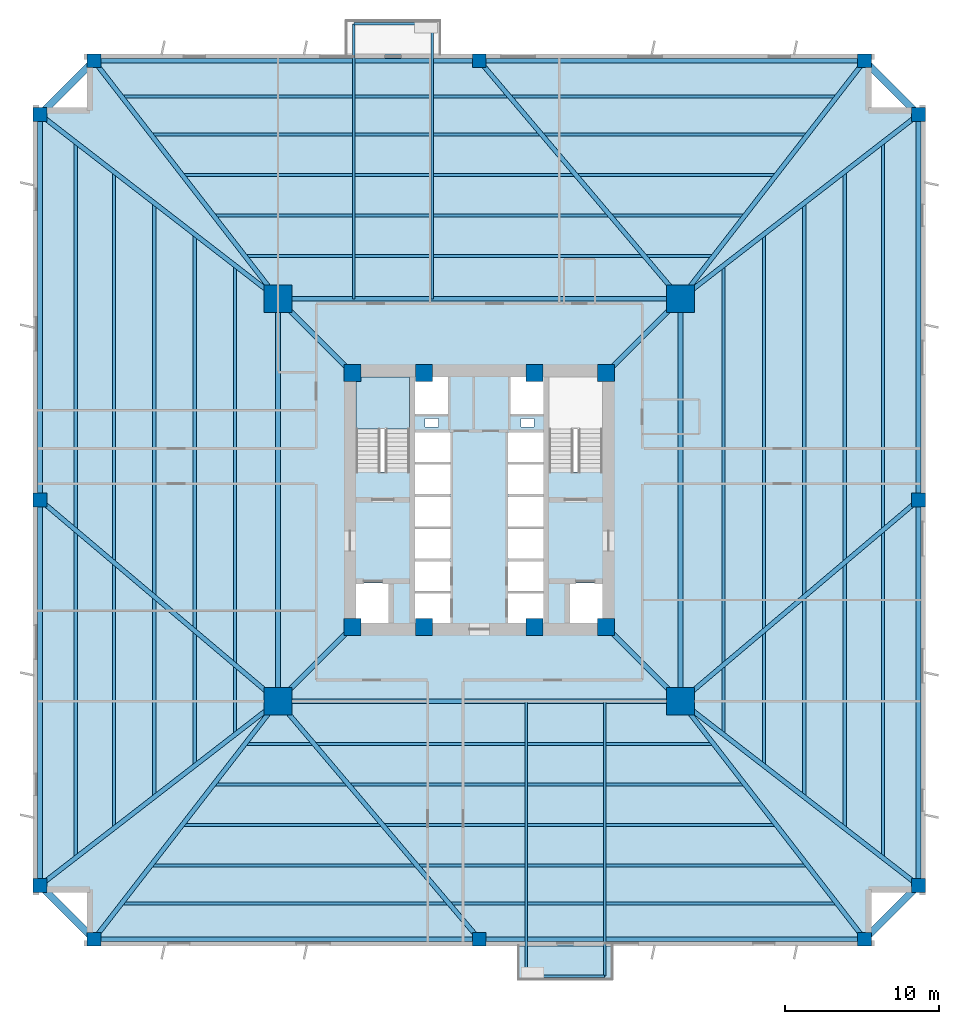
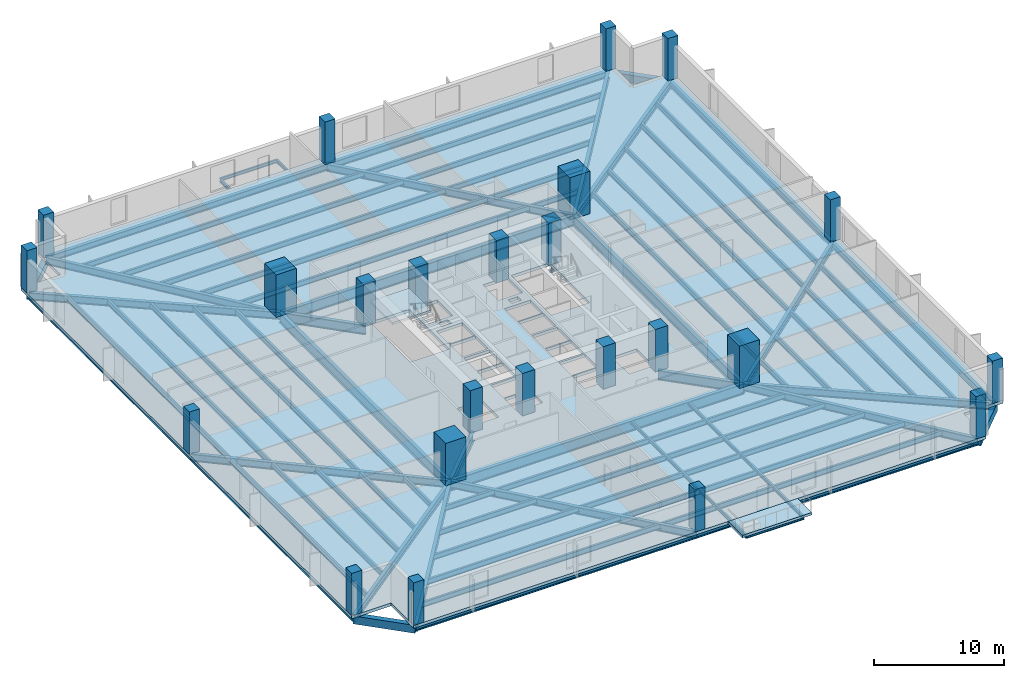
# One storey, part 1 of 8: 58 beams, 24 columns, 3 slabs, 1 element without a shape of its own.
"""IFC4 building model written with IfcOpenShell, lengths in metres."""

from ifc_helpers import new_model, si_unit, direction, frame, origin, origin_2d, place, context, subcontext, project, spatial, polyline, rectangle, i_section, outline, extrude, source, transform, mapped, material, layer, layer_set, material_profile, profile_set, type_object, element, aggregate, save


model = new_model("IFC4")

# Units and contexts
model_context = context("Model", 3, precision=1e-05, world=origin(), true_north=direction((0.0, 1.0)))
body_context = subcontext(model_context, "Body", "Model", "MODEL_VIEW")
ifc_project = project(units=[si_unit("LENGTHUNIT", "METRE"), si_unit("AREAUNIT", "SQUARE_METRE"), si_unit("VOLUMEUNIT", "CUBIC_METRE"), si_unit("PLANEANGLEUNIT", "RADIAN"), si_unit("MASSUNIT", "GRAM", prefix="KILO"), si_unit("THERMODYNAMICTEMPERATUREUNIT", "KELVIN")], contexts=[model_context])

# Site, building, storey
site_placement = place(None, origin())
site = spatial("IfcSite", under=ifc_project, at=site_placement, CompositionType="ELEMENT")
building_placement = place(site_placement, origin())
building = spatial("IfcBuilding", under=site, at=building_placement, Name="Kosmvard Interchange Tower", CompositionType="ELEMENT")
storey_placement = place(building_placement, frame((0.0, 0.0, 62.0)))
storey = spatial("IfcBuildingStorey", under=building, at=storey_placement, Name="L14", CompositionType="ELEMENT", Elevation=62.0)

# Columns
ifc_material_1 = material(Name="Concrete C80/95", Category="concrete")
ifc_material_profile_1 = material_profile(ifc_material_1, rectangle(XDim=1.10009765625, YDim=1.10009765625, at=origin_2d()), Name="CP 1100x1100")
ifc_profile_set_1 = profile_set([ifc_material_profile_1], Name="Concrete C80/95")
column_type_1 = type_object("IfcColumnType", Name="Core Boundary Pilaster 1100x1100 C80/95", PredefinedType="PILASTER", material=ifc_profile_set_1)
shared_shape_1 = source(origin(), body_context, "Body", "SweptSolid", [
    extrude(rectangle(XDim=1.10009765625, YDim=1.10009765625, at=origin_2d()), origin(), (0.0, 0.0, 1.0), 4.0),
])
for number, where, z_axis, x_axis, name in (
    (1, (-8.25, -8.25, 0.0), (0.0, 0.0, 1.0), (1.0, 0.0, 0.0), "L14 Core Pilaster CP1"),
    (2, (8.25, -8.25, 0.0), (0.0, 0.0, 1.0), (1.0, 0.0, 0.0), "L14 Core Pilaster CP2"),
    (3, (8.25, 8.25, 0.0), (0.0, 0.0, 1.0), (1.0, 0.0, 0.0), "L14 Core Pilaster CP3"),
    (4, (-8.25, 8.25, 0.0), (0.0, 0.0, 1.0), (1.0, 0.0, 0.0), "L14 Core Pilaster CP4"),
    (5, (-3.60009765625, -8.25, 0.0), (0.0, 0.0, 1.0), (1.0, 0.0, 0.0), "L14 Core Pilaster CP5"),
    (6, (3.60009765625, -8.25, 0.0), (0.0, 0.0, 1.0), (1.0, 0.0, 0.0), "L14 Core Pilaster CP6"),
    (7, (-3.60009765625, 8.25, 0.0), (0.0, 0.0, 1.0), (1.0, 0.0, 0.0), "L14 Core Pilaster CP7"),
    (8, (3.60009765625, 8.25, 0.0), (0.0, 0.0, 1.0), (1.0, 0.0, 0.0), "L14 Core Pilaster CP8"),
):
    element("IfcColumn", number, at=place(storey_placement, frame(where, z_axis=z_axis, x_axis=x_axis)), inside=storey, type_object=column_type_1, Name=name, PredefinedType="PILASTER", context=body_context, shape_type="MappedRepresentation", body=[
        mapped(shared_shape_1, transform((0.0, 0.0, 0.0), scale=1.0)),
    ])
ifc_material_profile_2 = material_profile(ifc_material_1, rectangle(XDim=1.800048828125, YDim=1.800048828125, at=origin_2d()), Name="MC 1800x1800")
ifc_profile_set_2 = profile_set([ifc_material_profile_2], Name="Concrete C80/95")
column_type_2 = type_object("IfcColumnType", Name="Composite Mega-Column 1800x1800 C80/95", PredefinedType="COLUMN", material=ifc_profile_set_2)
shared_shape_2 = source(origin(), body_context, "Body", "SweptSolid", [
    extrude(rectangle(XDim=1.800048828125, YDim=1.800048828125, at=origin_2d()), origin(), (0.0, 0.0, 1.0), 4.0),
])
for number, where, z_axis, x_axis, name in (
    (9, (-13.0810546875, -13.0810546875, 0.0), (0.0, 0.0, 1.0), (1.0, 0.0, 0.0), "L14 Corner Mega-Column MC1"),
    (10, (13.0810546875, -13.0810546875, 0.0), (0.0, 0.0, 1.0), (1.0, 0.0, 0.0), "L14 Corner Mega-Column MC2"),
    (11, (13.0810546875, 13.0810546875, 0.0), (0.0, 0.0, 1.0), (1.0, 0.0, 0.0), "L14 Corner Mega-Column MC3"),
    (12, (-13.0810546875, 13.0810546875, 0.0), (0.0, 0.0, 1.0), (1.0, 0.0, 0.0), "L14 Corner Mega-Column MC4"),
):
    element("IfcColumn", number, at=place(storey_placement, frame(where, z_axis=z_axis, x_axis=x_axis)), inside=storey, type_object=column_type_2, Name=name, PredefinedType="COLUMN", context=body_context, shape_type="MappedRepresentation", body=[
        mapped(shared_shape_2, transform((0.0, 0.0, 0.0), scale=1.0)),
    ])
ifc_material_2 = material(Name="Concrete C60/75", Category="concrete")
ifc_material_profile_3 = material_profile(ifc_material_2, rectangle(XDim=0.89990234375, YDim=0.89990234375, at=origin_2d()), Name="TC 900x900")
ifc_profile_set_3 = profile_set([ifc_material_profile_3], Name="Concrete C60/75")
column_type_3 = type_object("IfcColumnType", Name="Zone 1 Perimeter Pier Column 900x900 C60/75", PredefinedType="COLUMN", material=ifc_profile_set_3)
shared_shape_3 = source(origin(), body_context, "Body", "SweptSolid", [
    extrude(rectangle(XDim=0.89990234375, YDim=0.89990234375, at=origin_2d()), origin(), (0.0, 0.0, 1.0), 4.0),
])
for number, where, z_axis, x_axis, name in (
    (13, (-25.050048828125, -28.550048828125, 0.0), (0.0, 0.0, 1.0), (1.0, 0.0, 0.0), "L14 Perimeter Pier Column TC-S1"),
    (14, (0.0, -28.550048828125, 0.0), (0.0, 0.0, 1.0), (1.0, 0.0, 0.0), "L14 Perimeter Pier Column TC-S2"),
    (15, (25.050048828125, -28.550048828125, 0.0), (0.0, 0.0, 1.0), (1.0, 0.0, 0.0), "L14 Perimeter Pier Column TC-S3"),
    (16, (28.550048828125, -25.050048828125, 0.0), (0.0, 0.0, 1.0), (1.0, 0.0, 0.0), "L14 Perimeter Pier Column TC-E1"),
    (17, (28.550048828125, 0.0, 0.0), (0.0, 0.0, 1.0), (1.0, 0.0, 0.0), "L14 Perimeter Pier Column TC-E2"),
    (18, (28.550048828125, 25.050048828125, 0.0), (0.0, 0.0, 1.0), (1.0, 0.0, 0.0), "L14 Perimeter Pier Column TC-E3"),
    (19, (25.050048828125, 28.550048828125, 0.0), (0.0, 0.0, 1.0), (1.0, 0.0, 0.0), "L14 Perimeter Pier Column TC-N1"),
    (20, (0.0, 28.550048828125, 0.0), (0.0, 0.0, 1.0), (1.0, 0.0, 0.0), "L14 Perimeter Pier Column TC-N2"),
    (21, (-25.050048828125, 28.550048828125, 0.0), (0.0, 0.0, 1.0), (1.0, 0.0, 0.0), "L14 Perimeter Pier Column TC-N3"),
    (22, (-28.550048828125, 25.050048828125, 0.0), (0.0, 0.0, 1.0), (1.0, 0.0, 0.0), "L14 Perimeter Pier Column TC-W1"),
    (23, (-28.550048828125, 0.0, 0.0), (0.0, 0.0, 1.0), (1.0, 0.0, 0.0), "L14 Perimeter Pier Column TC-W2"),
    (24, (-28.550048828125, -25.050048828125, 0.0), (0.0, 0.0, 1.0), (1.0, 0.0, 0.0), "L14 Perimeter Pier Column TC-W3"),
):
    element("IfcColumn", number, at=place(storey_placement, frame(where, z_axis=z_axis, x_axis=x_axis)), inside=storey, type_object=column_type_3, Name=name, PredefinedType="COLUMN", context=body_context, shape_type="MappedRepresentation", body=[
        mapped(shared_shape_3, transform((0.0, 0.0, 0.0), scale=1.0)),
    ])

# Beams
ifc_material_3 = material(Name="Steel S460", Category="steel")
ifc_material_profile_4 = material_profile(ifc_material_3, i_section(OverallWidth=0.30810546875, OverallDepth=0.909912109375, WebThickness=0.02099609375, FlangeThickness=0.0400390625, FilletRadius=0.027099609375, at=origin_2d()), Name="HEM 900")
ifc_profile_set_4 = profile_set([ifc_material_profile_4], Name="Steel S460")
beam_type_1 = type_object("IfcBeamType", Name="Primary Mega-Frame Girder HEM 900 S460", PredefinedType="BEAM", material=ifc_profile_set_4)
shared_shape_4 = source(origin(), body_context, "Body", "SweptSolid", [
    extrude(i_section(OverallWidth=0.30810546875, OverallDepth=0.909912109375, WebThickness=0.02099609375, FlangeThickness=0.0400390625, FilletRadius=0.027099609375, at=origin_2d()), origin(), (0.0, 0.0, 1.0), 6.83203125),
])
for number, where, z_axis, x_axis, name in (
    (25, (-8.25, -8.25, -0.735107421875), (-0.707106781187, -0.707106781187, 0.0), (0.707106781187, -0.707106781187, 0.0), "L14 Radial Mega-Frame Girder 1"),
    (26, (8.25, -8.25, -0.735107421875), (0.707106781187, -0.707106781187, 0.0), (0.707106781187, 0.707106781187, 0.0), "L14 Radial Mega-Frame Girder 2"),
    (27, (8.25, 8.25, -0.735107421875), (0.707106781187, 0.707106781187, 0.0), (-0.707106781187, 0.707106781187, 0.0), "L14 Radial Mega-Frame Girder 3"),
    (28, (-8.25, 8.25, -0.735107421875), (-0.707106781187, 0.707106781187, 0.0), (-0.707106781187, -0.707106781187, 0.0), "L14 Radial Mega-Frame Girder 4"),
):
    element("IfcBeam", number, at=place(storey_placement, frame(where, z_axis=z_axis, x_axis=x_axis)), inside=storey, type_object=beam_type_1, Name=name, PredefinedType="BEAM", context=body_context, shape_type="MappedRepresentation", body=[
        mapped(shared_shape_4, transform((0.0, 0.0, 0.0), scale=1.0)),
    ])
ifc_material_profile_5 = material_profile(ifc_material_3, i_section(OverallWidth=0.30908203125, OverallDepth=1.008056640625, WebThickness=0.02099609375, FlangeThickness=0.0400390625, FilletRadius=0.030029296875, at=origin_2d()), Name="HEM 1000")
ifc_profile_set_5 = profile_set([ifc_material_profile_5], Name="Steel S460")
beam_type_2 = type_object("IfcBeamType", Name="Mega-Column Ring Girder HEM 1000 S460", PredefinedType="BEAM", material=ifc_profile_set_5)
shared_shape_5 = source(origin(), body_context, "Body", "SweptSolid", [
    extrude(i_section(OverallWidth=0.30908203125, OverallDepth=1.008056640625, WebThickness=0.02099609375, FlangeThickness=0.0400390625, FilletRadius=0.030029296875, at=origin_2d()), origin(), (0.0, 0.0, 1.0), 26.162109375),
])
for number, where, z_axis, x_axis, name in (
    (29, (-13.0810546875, -13.0810546875, -0.783935546875), (1.0, 0.0, 0.0), (0.0, 1.0, 0.0), "L14 Mega-Column Ring Girder 1"),
    (30, (13.0810546875, -13.0810546875, -0.783935546875), (0.0, 1.0, 0.0), (-1.0, 0.0, 0.0), "L14 Mega-Column Ring Girder 2"),
    (31, (13.0810546875, 13.0810546875, -0.783935546875), (-1.0, 0.0, 0.0), (0.0, -1.0, 0.0), "L14 Mega-Column Ring Girder 3"),
    (32, (-13.0810546875, 13.0810546875, -0.783935546875), (0.0, -1.0, 0.0), (1.0, 0.0, 0.0), "L14 Mega-Column Ring Girder 4"),
):
    element("IfcBeam", number, at=place(storey_placement, frame(where, z_axis=z_axis, x_axis=x_axis)), inside=storey, type_object=beam_type_2, Name=name, PredefinedType="BEAM", context=body_context, shape_type="MappedRepresentation", body=[
        mapped(shared_shape_5, transform((0.0, 0.0, 0.0), scale=1.0)),
    ])
ifc_material_4 = material(Name="Steel S355", Category="steel")
ifc_material_profile_6 = material_profile(ifc_material_4, i_section(OverallWidth=0.159912109375, OverallDepth=0.330078125, WebThickness=0.007568359375, FlangeThickness=0.011474609375, FilletRadius=0.01806640625, at=origin_2d()), Name="IPE 330")
ifc_profile_set_6 = profile_set([ifc_material_profile_6], Name="Steel S355")
beam_type_3 = type_object("IfcBeamType", Name="Balcony Cantilever Joist IPE 330 S355", PredefinedType="JOIST", material=ifc_profile_set_6)
shared_shape_6 = source(origin(), body_context, "Body", "SweptSolid", [
    extrude(i_section(OverallWidth=0.159912109375, OverallDepth=0.330078125, WebThickness=0.007568359375, FlangeThickness=0.011474609375, FilletRadius=0.01806640625, at=origin_2d()), origin(), (0.0, 0.0, 1.0), 17.868896484375),
])
for number, where, z_axis, x_axis, name in (
    (33, (-3.050048828125, 13.0810546875, -0.445068359375), (0.0, 1.0, 0.0), (-1.0, 0.0, 0.0), "BM-L14-BJ1"),
    (34, (-8.14990234375, 13.0810546875, -0.445068359375), (0.0, 1.0, 0.0), (-1.0, 0.0, 0.0), "BM-L14-BJB1"),
    (35, (3.050048828125, -13.0810546875, -0.445068359375), (0.0, -1.0, 0.0), (1.0, 0.0, 0.0), "BM-L14-BJ2"),
    (36, (8.14990234375, -13.0810546875, -0.445068359375), (0.0, -1.0, 0.0), (1.0, 0.0, 0.0), "BM-L14-BJB2"),
):
    element("IfcBeam", number, at=place(storey_placement, frame(where, z_axis=z_axis, x_axis=x_axis)), inside=storey, type_object=beam_type_3, Name=name, PredefinedType="JOIST", context=body_context, shape_type="MappedRepresentation", body=[
        mapped(shared_shape_6, transform((0.0, 0.0, 0.0), scale=1.0)),
    ])
ifc_material_profile_7 = material_profile(ifc_material_4, i_section(OverallWidth=0.14990234375, OverallDepth=0.300048828125, WebThickness=0.007080078125, FlangeThickness=0.0107421875, FilletRadius=0.014892578125, at=origin_2d()), Name="IPE 300")
ifc_profile_set_7 = profile_set([ifc_material_profile_7], Name="Steel S355")
beam_type_4 = type_object("IfcBeamType", Name="Balcony Edge Header Joist IPE 300 S355", PredefinedType="JOIST", material=ifc_profile_set_7)
shared_shape_7 = source(origin(), body_context, "Body", "SweptSolid", [
    extrude(i_section(OverallWidth=0.14990234375, OverallDepth=0.300048828125, WebThickness=0.007080078125, FlangeThickness=0.0107421875, FilletRadius=0.014892578125, at=origin_2d()), origin(), (0.0, 0.0, 1.0), 5.099853515625),
])
for number, where, z_axis, x_axis, name in (
    (37, (-3.050048828125, 30.949951171875, -0.429931640625), (-1.0, 0.0, 0.0), (0.0, -1.0, 0.0), "BM-L14-BJH1"),
    (38, (3.050048828125, -30.949951171875, -0.429931640625), (1.0, 0.0, 0.0), (0.0, 1.0, 0.0), "BM-L14-BJH2"),
):
    element("IfcBeam", number, at=place(storey_placement, frame(where, z_axis=z_axis, x_axis=x_axis)), inside=storey, type_object=beam_type_4, Name=name, PredefinedType="JOIST", context=body_context, shape_type="MappedRepresentation", body=[
        mapped(shared_shape_7, transform((0.0, 0.0, 0.0), scale=1.0)),
    ])
ifc_material_profile_8 = material_profile(ifc_material_4, i_section(OverallWidth=0.300048828125, OverallDepth=0.60009765625, WebThickness=0.015380859375, FlangeThickness=0.030029296875, FilletRadius=0.027099609375, at=origin_2d()), Name="HEB 600")
ifc_profile_set_8 = profile_set([ifc_material_profile_8], Name="Steel S355")
beam_type_5 = type_object("IfcBeamType", Name="Perimeter Tie Girder HEB 600 S355", PredefinedType="BEAM", material=ifc_profile_set_8)
shared_shape_8 = source(origin(), body_context, "Body", "SweptSolid", [
    extrude(i_section(OverallWidth=0.300048828125, OverallDepth=0.60009765625, WebThickness=0.015380859375, FlangeThickness=0.030029296875, FilletRadius=0.027099609375, at=origin_2d()), origin(), (0.0, 0.0, 1.0), 25.050048828125),
])
for number, where, z_axis, x_axis, name in (
    (39, (-25.050048828125, -28.550048828125, -0.580078125), (1.0, 0.0, 0.0), (0.0, 1.0, 0.0), "BM-L14-PR01"),
    (40, (0.0, -28.550048828125, -0.580078125), (1.0, 0.0, 0.0), (0.0, 1.0, 0.0), "BM-L14-PR02"),
    (41, (28.550048828125, -25.050048828125, -0.580078125), (0.0, 1.0, 0.0), (-1.0, 0.0, 0.0), "BM-L14-PR04"),
    (42, (28.550048828125, 0.0, -0.580078125), (0.0, 1.0, 0.0), (-1.0, 0.0, 0.0), "BM-L14-PR05"),
    (43, (25.050048828125, 28.550048828125, -0.580078125), (-1.0, 0.0, 0.0), (0.0, -1.0, 0.0), "BM-L14-PR07"),
    (44, (0.0, 28.550048828125, -0.580078125), (-1.0, 0.0, 0.0), (0.0, -1.0, 0.0), "BM-L14-PR08"),
    (45, (-28.550048828125, 25.050048828125, -0.580078125), (0.0, -1.0, 0.0), (1.0, 0.0, 0.0), "BM-L14-PR10"),
    (46, (-28.550048828125, 0.0, -0.580078125), (0.0, -1.0, 0.0), (1.0, 0.0, 0.0), "BM-L14-PR11"),
):
    element("IfcBeam", number, at=place(storey_placement, frame(where, z_axis=z_axis, x_axis=x_axis)), inside=storey, type_object=beam_type_5, Name=name, PredefinedType="BEAM", context=body_context, shape_type="MappedRepresentation", body=[
        mapped(shared_shape_8, transform((0.0, 0.0, 0.0), scale=1.0)),
    ])
ifc_material_profile_9 = material_profile(ifc_material_4, i_section(OverallWidth=0.300048828125, OverallDepth=0.699951171875, WebThickness=0.01708984375, FlangeThickness=0.031982421875, FilletRadius=0.027099609375, at=origin_2d()), Name="HEB 700")
ifc_profile_set_9 = profile_set([ifc_material_profile_9], Name="Steel S355")
beam_type_6 = type_object("IfcBeamType", Name="Primary Floor Girder HEB 700 S355", PredefinedType="BEAM", material=ifc_profile_set_9)
shared_shape_9 = source(origin(), body_context, "Body", "SweptSolid", [
    extrude(i_section(OverallWidth=0.300048828125, OverallDepth=0.699951171875, WebThickness=0.01708984375, FlangeThickness=0.031982421875, FilletRadius=0.027099609375, at=origin_2d()), origin(), (0.0, 0.0, 1.0), 19.558837890625),
])
for number, where, z_axis, x_axis, name in (
    (47, (-13.0810546875, -13.0810546875, -0.6298828125), (-0.611949354357, -0.79089695138, 0.0), (0.79089695138, -0.611949354357, 0.0), "BM-L14-RD01"),
    (48, (13.0810546875, -13.0810546875, -0.6298828125), (0.611949354357, -0.79089695138, 0.0), (0.79089695138, 0.611949354357, 0.0), "BM-L14-RD03"),
    (49, (13.0810546875, -13.0810546875, -0.6298828125), (0.79089695138, -0.611949354357, 0.0), (0.611949354357, 0.79089695138, 0.0), "BM-L14-RD04"),
    (50, (13.0810546875, 13.0810546875, -0.6298828125), (0.79089695138, 0.611949354357, 0.0), (-0.611949354357, 0.79089695138, 0.0), "BM-L14-RD06"),
    (51, (13.0810546875, 13.0810546875, -0.6298828125), (0.611949354357, 0.79089695138, 0.0), (-0.79089695138, 0.611949354357, 0.0), "BM-L14-RD07"),
    (52, (-13.0810546875, 13.0810546875, -0.6298828125), (-0.611949354357, 0.79089695138, 0.0), (-0.79089695138, -0.611949354357, 0.0), "BM-L14-RD09"),
    (53, (-13.0810546875, 13.0810546875, -0.6298828125), (-0.79089695138, 0.611949354357, 0.0), (-0.611949354357, -0.79089695138, 0.0), "BM-L14-RD10"),
    (54, (-13.0810546875, -13.0810546875, -0.6298828125), (-0.79089695138, -0.611949354357, 0.0), (0.611949354357, -0.79089695138, 0.0), "BM-L14-RD12"),
):
    element("IfcBeam", number, at=place(storey_placement, frame(where, z_axis=z_axis, x_axis=x_axis)), inside=storey, type_object=beam_type_6, Name=name, PredefinedType="BEAM", context=body_context, shape_type="MappedRepresentation", body=[
        mapped(shared_shape_9, transform((0.0, 0.0, 0.0), scale=1.0)),
    ])
shared_shape_10 = source(origin(), body_context, "Body", "SweptSolid", [
    extrude(i_section(OverallWidth=0.300048828125, OverallDepth=0.699951171875, WebThickness=0.01708984375, FlangeThickness=0.031982421875, FilletRadius=0.027099609375, at=origin_2d()), origin(), (0.0, 0.0, 1.0), 20.258544921875),
])
for number, where, z_axis, x_axis, name in (
    (55, (-13.0810546875, -13.0810546875, -0.6298828125), (0.645709371734, -0.763583268056, 0.0), (0.763583268056, 0.645709371734, 0.0), "BM-L14-RD02"),
    (56, (13.0810546875, -13.0810546875, -0.6298828125), (0.763583268056, 0.645709371734, 0.0), (-0.645709371734, 0.763583268056, 0.0), "BM-L14-RD05"),
    (57, (13.0810546875, 13.0810546875, -0.6298828125), (-0.645709371734, 0.763583268056, 0.0), (-0.763583268056, -0.645709371734, 0.0), "BM-L14-RD08"),
    (58, (-13.0810546875, -13.0810546875, -0.6298828125), (-0.763583268056, 0.645709371734, 0.0), (-0.645709371734, -0.763583268056, 0.0), "BM-L14-RD11"),
):
    element("IfcBeam", number, at=place(storey_placement, frame(where, z_axis=z_axis, x_axis=x_axis)), inside=storey, type_object=beam_type_6, Name=name, PredefinedType="BEAM", context=body_context, shape_type="MappedRepresentation", body=[
        mapped(shared_shape_10, transform((0.0, 0.0, 0.0), scale=1.0)),
    ])
ifc_material_5 = material(Name="Precast concrete C45/55", Category="concrete")
ifc_material_profile_10 = material_profile(ifc_material_5, rectangle(XDim=0.449951171875, YDim=0.75, at=origin_2d()), Name="SL 450x750")
ifc_profile_set_10 = profile_set([ifc_material_profile_10], Name="Precast concrete C45/55")
beam_type_7 = type_object("IfcBeamType", Name="Precast Spandrel Lintel 450x750 C45/55", PredefinedType="LINTEL", material=ifc_profile_set_10)
shared_shape_11 = source(origin(), body_context, "Body", "SweptSolid", [
    extrude(rectangle(XDim=0.449951171875, YDim=0.75, at=origin_2d()), origin(), (0.0, 0.0, 1.0), 4.94970703125),
])
for number, where, z_axis, x_axis, name in (
    (59, (25.050048828125, -28.550048828125, -0.655029296875), (0.707106781187, 0.707106781187, 0.0), (-0.707106781187, 0.707106781187, 0.0), "BM-L14-SL1"),
    (60, (28.550048828125, 25.050048828125, -0.655029296875), (-0.707106781187, 0.707106781187, 0.0), (-0.707106781187, -0.707106781187, 0.0), "BM-L14-SL2"),
    (61, (-25.050048828125, 28.550048828125, -0.655029296875), (-0.707106781187, -0.707106781187, 0.0), (0.707106781187, -0.707106781187, 0.0), "BM-L14-SL3"),
    (62, (-28.550048828125, -25.050048828125, -0.655029296875), (0.707106781187, -0.707106781187, 0.0), (0.707106781187, 0.707106781187, 0.0), "BM-L14-SL4"),
):
    element("IfcBeam", number, at=place(storey_placement, frame(where, z_axis=z_axis, x_axis=x_axis)), inside=storey, type_object=beam_type_7, Name=name, PredefinedType="LINTEL", context=body_context, shape_type="MappedRepresentation", body=[
        mapped(shared_shape_11, transform((0.0, 0.0, 0.0), scale=1.0)),
    ])
ifc_material_profile_11 = material_profile(ifc_material_4, i_section(OverallWidth=0.199951171875, OverallDepth=0.5, WebThickness=0.01025390625, FlangeThickness=0.01611328125, FilletRadius=0.02099609375, at=origin_2d()), Name="IPE 500")
ifc_profile_set_11 = profile_set([ifc_material_profile_11], Name="Steel S355")
beam_type_8 = type_object("IfcBeamType", Name="Standard Floor Joist IPE 500 S355", PredefinedType="JOIST", material=ifc_profile_set_11)
shared_shape_12 = source(origin(), body_context, "Body", "SweptSolid", [
    extrude(i_section(OverallWidth=0.199951171875, OverallDepth=0.5, WebThickness=0.01025390625, FlangeThickness=0.01611328125, FilletRadius=0.02099609375, at=origin_2d()), origin(), (0.0, 0.0, 1.0), 30.31103515625),
])
for number, where, z_axis, x_axis, name in (
    (63, (-15.155517578125, -15.865478515625, -0.530029296875), (1.0, 0.0, 0.0), (0.0, 1.0, 0.0), "BM-L14-FJ01"),
    (64, (15.865478515625, -15.155517578125, -0.530029296875), (0.0, 1.0, 0.0), (-1.0, 0.0, 0.0), "BM-L14-FJ06"),
    (65, (15.155517578125, 15.865478515625, -0.530029296875), (-1.0, 0.0, 0.0), (0.0, -1.0, 0.0), "BM-L14-FJ11"),
    (66, (-15.865478515625, 15.155517578125, -0.530029296875), (0.0, -1.0, 0.0), (1.0, 0.0, 0.0), "BM-L14-FJ16"),
):
    element("IfcBeam", number, at=place(storey_placement, frame(where, z_axis=z_axis, x_axis=x_axis)), inside=storey, type_object=beam_type_8, Name=name, PredefinedType="JOIST", context=body_context, shape_type="MappedRepresentation", body=[
        mapped(shared_shape_12, transform((0.0, 0.0, 0.0), scale=1.0)),
    ])
shared_shape_13 = source(origin(), body_context, "Body", "SweptSolid", [
    extrude(i_section(OverallWidth=0.199951171875, OverallDepth=0.5, WebThickness=0.01025390625, FlangeThickness=0.01611328125, FilletRadius=0.02099609375, at=origin_2d()), origin(), (0.0, 0.0, 1.0), 34.38037109375),
])
for number, where, z_axis, x_axis, name in (
    (67, (-17.190185546875, -18.4951171875, -0.530029296875), (1.0, 0.0, 0.0), (0.0, 1.0, 0.0), "BM-L14-FJ02"),
    (68, (18.4951171875, -17.190185546875, -0.530029296875), (0.0, 1.0, 0.0), (-1.0, 0.0, 0.0), "BM-L14-FJ07"),
    (69, (17.190185546875, 18.4951171875, -0.530029296875), (-1.0, 0.0, 0.0), (0.0, -1.0, 0.0), "BM-L14-FJ12"),
    (70, (-18.4951171875, 17.190185546875, -0.530029296875), (0.0, -1.0, 0.0), (1.0, 0.0, 0.0), "BM-L14-FJ17"),
):
    element("IfcBeam", number, at=place(storey_placement, frame(where, z_axis=z_axis, x_axis=x_axis)), inside=storey, type_object=beam_type_8, Name=name, PredefinedType="JOIST", context=body_context, shape_type="MappedRepresentation", body=[
        mapped(shared_shape_13, transform((0.0, 0.0, 0.0), scale=1.0)),
    ])
shared_shape_14 = source(origin(), body_context, "Body", "SweptSolid", [
    extrude(i_section(OverallWidth=0.199951171875, OverallDepth=0.5, WebThickness=0.01025390625, FlangeThickness=0.01611328125, FilletRadius=0.02099609375, at=origin_2d()), origin(), (0.0, 0.0, 1.0), 38.44970703125),
])
for number, where, z_axis, x_axis, name in (
    (71, (-19.224853515625, -21.125, -0.530029296875), (1.0, 0.0, 0.0), (0.0, 1.0, 0.0), "BM-L14-FJ03"),
    (72, (21.125, -19.224853515625, -0.530029296875), (0.0, 1.0, 0.0), (-1.0, 0.0, 0.0), "BM-L14-FJ08"),
    (73, (19.224853515625, 21.125, -0.530029296875), (-1.0, 0.0, 0.0), (0.0, -1.0, 0.0), "BM-L14-FJ13"),
    (74, (-21.125, 19.224853515625, -0.530029296875), (0.0, -1.0, 0.0), (1.0, 0.0, 0.0), "BM-L14-FJ18"),
):
    element("IfcBeam", number, at=place(storey_placement, frame(where, z_axis=z_axis, x_axis=x_axis)), inside=storey, type_object=beam_type_8, Name=name, PredefinedType="JOIST", context=body_context, shape_type="MappedRepresentation", body=[
        mapped(shared_shape_14, transform((0.0, 0.0, 0.0), scale=1.0)),
    ])
shared_shape_15 = source(origin(), body_context, "Body", "SweptSolid", [
    extrude(i_section(OverallWidth=0.199951171875, OverallDepth=0.5, WebThickness=0.01025390625, FlangeThickness=0.01611328125, FilletRadius=0.02099609375, at=origin_2d()), origin(), (0.0, 0.0, 1.0), 42.51904296875),
])
for number, where, z_axis, x_axis, name in (
    (75, (-21.259521484375, -23.754638671875, -0.530029296875), (1.0, 0.0, 0.0), (0.0, 1.0, 0.0), "BM-L14-FJ04"),
    (76, (23.754638671875, -21.259521484375, -0.530029296875), (0.0, 1.0, 0.0), (-1.0, 0.0, 0.0), "BM-L14-FJ09"),
    (77, (21.259521484375, 23.754638671875, -0.530029296875), (-1.0, 0.0, 0.0), (0.0, -1.0, 0.0), "BM-L14-FJ14"),
    (78, (-23.754638671875, 21.259521484375, -0.530029296875), (0.0, -1.0, 0.0), (1.0, 0.0, 0.0), "BM-L14-FJ19"),
):
    element("IfcBeam", number, at=place(storey_placement, frame(where, z_axis=z_axis, x_axis=x_axis)), inside=storey, type_object=beam_type_8, Name=name, PredefinedType="JOIST", context=body_context, shape_type="MappedRepresentation", body=[
        mapped(shared_shape_15, transform((0.0, 0.0, 0.0), scale=1.0)),
    ])
shared_shape_16 = source(origin(), body_context, "Body", "SweptSolid", [
    extrude(i_section(OverallWidth=0.199951171875, OverallDepth=0.5, WebThickness=0.01025390625, FlangeThickness=0.01611328125, FilletRadius=0.02099609375, at=origin_2d()), origin(), (0.0, 0.0, 1.0), 46.34912109375),
])
for number, where, z_axis, x_axis, name in (
    (79, (-23.174560546875, -26.229736328125, -0.530029296875), (1.0, 0.0, 0.0), (0.0, 1.0, 0.0), "BM-L14-FJ05"),
    (80, (26.229736328125, -23.174560546875, -0.530029296875), (0.0, 1.0, 0.0), (-1.0, 0.0, 0.0), "BM-L14-FJ10"),
    (81, (23.174560546875, 26.229736328125, -0.530029296875), (-1.0, 0.0, 0.0), (0.0, -1.0, 0.0), "BM-L14-FJ15"),
    (82, (-26.229736328125, 23.174560546875, -0.530029296875), (0.0, -1.0, 0.0), (1.0, 0.0, 0.0), "BM-L14-FJ20"),
):
    element("IfcBeam", number, at=place(storey_placement, frame(where, z_axis=z_axis, x_axis=x_axis)), inside=storey, type_object=beam_type_8, Name=name, PredefinedType="JOIST", context=body_context, shape_type="MappedRepresentation", body=[
        mapped(shared_shape_16, transform((0.0, 0.0, 0.0), scale=1.0)),
    ])

# Slab
ifc_material_6 = material(Name="Concrete C50/60", Category="concrete")
ifc_layer_1 = layer(ifc_material_6, 0.280029296875, Name="Concrete C50/60")
ifc_layer_set_1 = layer_set([ifc_layer_1], Name="Concrete C50/60")
slab_type_1 = type_object("IfcSlabType", Name="Low-Rise Office Composite Slab 280 C50/60", PredefinedType="FLOOR", material=ifc_layer_set_1)
slab_1_placement = place(storey_placement, frame((0.0, 0.0, -0.280029296875)))
element("IfcSlab", 83, at=slab_1_placement, inside=storey, type_object=slab_type_1, Name="L14 Structural Floor Slab", PredefinedType="FLOOR", context=body_context, shape_type="SweptSolid", body=[
    extrude(outline(polyline([(-25.5, -29.0), (25.5, -29.0), (25.5, -25.5), (29.0, -25.5), (29.0, 25.5), (25.5, 25.5), (25.5, 29.0), (-25.5, 29.0), (-25.5, 25.5), (-29.0, 25.5), (-29.0, -25.5), (-25.5, -25.5), (-25.5, -29.0)]), holes=[polyline([(-8.0, 1.8349609375), (-4.5400390625, 1.8349609375), (-4.5400390625, 8.0), (-8.0, 8.0), (-8.0, 1.8349609375)]), polyline([(4.5400390625, 1.8349609375), (8.0, 1.8349609375), (8.0, 8.0), (4.5400390625, 8.0), (4.5400390625, 1.8349609375)]), polyline([(-8.0, -8.0), (-5.800048828125, -8.0), (-5.800048828125, -5.39990234375), (-8.0, -5.39990234375), (-8.0, -8.0)]), polyline([(5.800048828125, -8.0), (8.0, -8.0), (8.0, -5.39990234375), (5.800048828125, -5.39990234375), (5.800048828125, -8.0)]), polyline([(-4.179931640625, -8.0), (-1.8798828125, -8.0), (-1.8798828125, -6.06005859375), (-4.179931640625, -6.06005859375), (-4.179931640625, -8.0)]), polyline([(-4.179931640625, -5.93994140625), (-1.8798828125, -5.93994140625), (-1.8798828125, -4.0), (-4.179931640625, -4.0), (-4.179931640625, -5.93994140625)]), polyline([(1.8798828125, -8.0), (4.179931640625, -8.0), (4.179931640625, -6.06005859375), (1.8798828125, -6.06005859375), (1.8798828125, -8.0)]), polyline([(1.8798828125, -5.93994140625), (4.179931640625, -5.93994140625), (4.179931640625, -4.0), (1.8798828125, -4.0), (1.8798828125, -5.93994140625)]), polyline([(-4.179931640625, -3.800048828125), (-1.8798828125, -3.800048828125), (-1.8798828125, -1.860107421875), (-4.179931640625, -1.860107421875), (-4.179931640625, -3.800048828125)]), polyline([(-4.179931640625, -1.739990234375), (-1.8798828125, -1.739990234375), (-1.8798828125, 0.199951171875), (-4.179931640625, 0.199951171875), (-4.179931640625, -1.739990234375)]), polyline([(1.8798828125, -3.800048828125), (4.179931640625, -3.800048828125), (4.179931640625, -1.860107421875), (1.8798828125, -1.860107421875), (1.8798828125, -3.800048828125)]), polyline([(1.8798828125, -1.739990234375), (4.179931640625, -1.739990234375), (4.179931640625, 0.199951171875), (1.8798828125, 0.199951171875), (1.8798828125, -1.739990234375)]), polyline([(-4.179931640625, 0.39990234375), (-1.8798828125, 0.39990234375), (-1.8798828125, 2.340087890625), (-4.179931640625, 2.340087890625), (-4.179931640625, 0.39990234375)]), polyline([(-4.179931640625, 2.4599609375), (-1.8798828125, 2.4599609375), (-1.8798828125, 4.39990234375), (-4.179931640625, 4.39990234375), (-4.179931640625, 2.4599609375)]), polyline([(1.8798828125, 0.39990234375), (4.179931640625, 0.39990234375), (4.179931640625, 2.340087890625), (1.8798828125, 2.340087890625), (1.8798828125, 0.39990234375)]), polyline([(1.8798828125, 2.4599609375), (4.179931640625, 2.4599609375), (4.179931640625, 4.39990234375), (1.8798828125, 4.39990234375), (1.8798828125, 2.4599609375)]), polyline([(-4.179931640625, 5.60009765625), (-2.0400390625, 5.60009765625), (-2.0400390625, 8.0), (-4.179931640625, 8.0), (-4.179931640625, 5.60009765625)]), polyline([(2.0400390625, 5.60009765625), (4.179931640625, 5.60009765625), (4.179931640625, 8.0), (2.0400390625, 8.0), (2.0400390625, 5.60009765625)]), polyline([(-3.514892578125, 4.739990234375), (-2.6650390625, 4.739990234375), (-2.6650390625, 5.2900390625), (-3.514892578125, 5.2900390625), (-3.514892578125, 4.739990234375)]), polyline([(2.715087890625, 4.739990234375), (3.56494140625, 4.739990234375), (3.56494140625, 5.2900390625), (2.715087890625, 5.2900390625), (2.715087890625, 4.739990234375)])]), origin(), (0.0, 0.0, 1.0), 0.280029296875),
])

# Stair, slab
stair_type = type_object("IfcStairType", Name="Dog-Leg Core Exit Stair H4000 C50/60", PredefinedType="HALF_TURN_STAIR", material=ifc_material_6)
stair_placement = place(storey_placement, origin())
stair = element("IfcStair", 84, at=stair_placement, inside=storey, type_object=stair_type, Name="L14 Protected Exit Stair ST-1", PredefinedType="HALF_TURN_STAIR")
ifc_layer_2 = layer(ifc_material_6, 0.199951171875, Name="Concrete C50/60")
ifc_layer_set_2 = layer_set([ifc_layer_2], Name="Concrete C50/60")
slab_type_2 = type_object("IfcSlabType", Name="Stair Half-Landing Slab 200 C50/60", PredefinedType="LANDING", material=ifc_layer_set_2)
slab_2_placement = place(storey_placement, frame((0.0, 0.0, 1.800048828125)))
slab_2 = element("IfcSlab", 85, at=slab_2_placement, type_object=slab_type_2, Name="ST-1 landing 1", PredefinedType="LANDING", context=body_context, shape_type="SweptSolid", body=[
    extrude(outline(polyline([(-4.5400390625, 4.60009765625), (-4.5400390625, 8.0), (-8.0, 8.0), (-8.0, 4.60009765625), (-4.5400390625, 4.60009765625)])), origin(), (0.0, 0.0, 1.0), 0.199951171875),
])
aggregate(stair, [slab_2])

# Slab
ifc_layer_3 = layer(ifc_material_6, 0.22998046875, Name="Concrete C50/60")
ifc_layer_set_3 = layer_set([ifc_layer_3], Name="Concrete C50/60")
slab_type_3 = type_object("IfcSlabType", Name="Tree-Planter Cantilever Balcony Slab 230 C50/60", PredefinedType="FLOOR", material=ifc_layer_set_3)
slab_3_placement = place(storey_placement, frame((0.0, 0.0, -0.22998046875)))
element("IfcSlab", 86, at=slab_3_placement, inside=storey, type_object=slab_type_3, Name="L14 Outdoor Terrace Balcony Slab BAL-L14-SW", PredefinedType="FLOOR", context=body_context, shape_type="SweptSolid", body=[
    extrude(outline(polyline([(2.5, -31.199951171875), (8.699951171875, -31.199951171875), (8.699951171875, -29.0), (2.5, -29.0), (2.5, -31.199951171875)])), origin(), (0.0, 0.0, 1.0), 0.22998046875),
])

save(model, "model.ifc")
